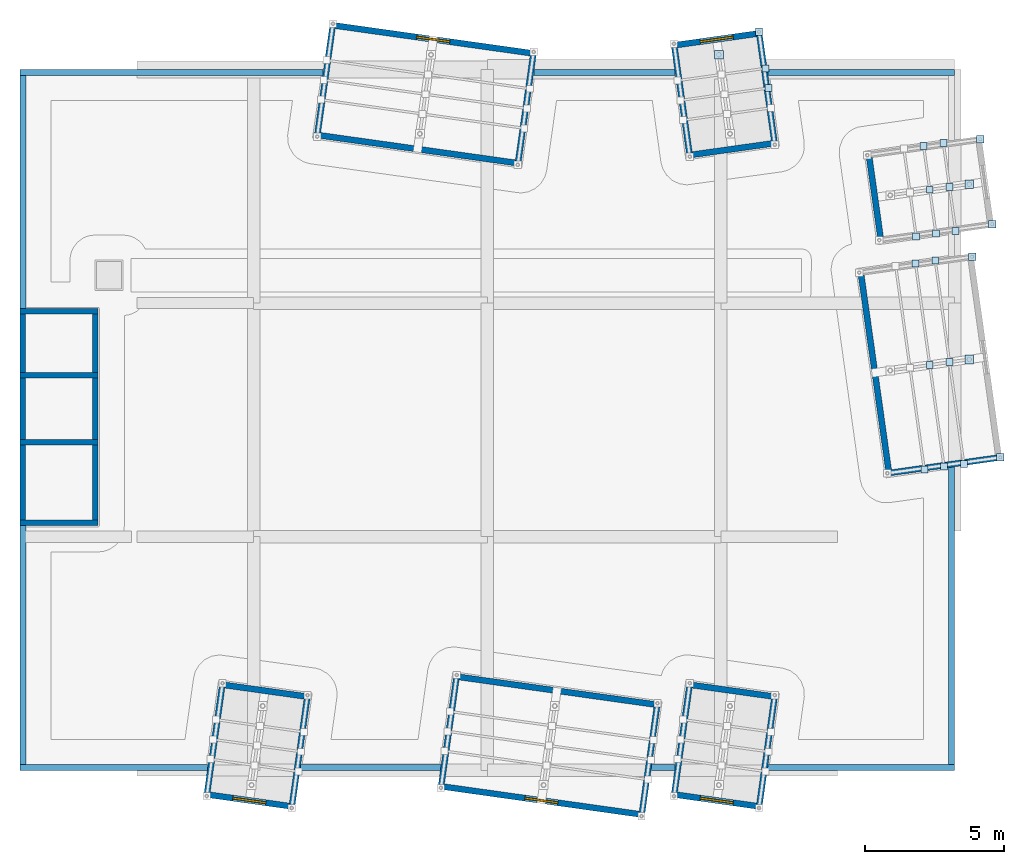
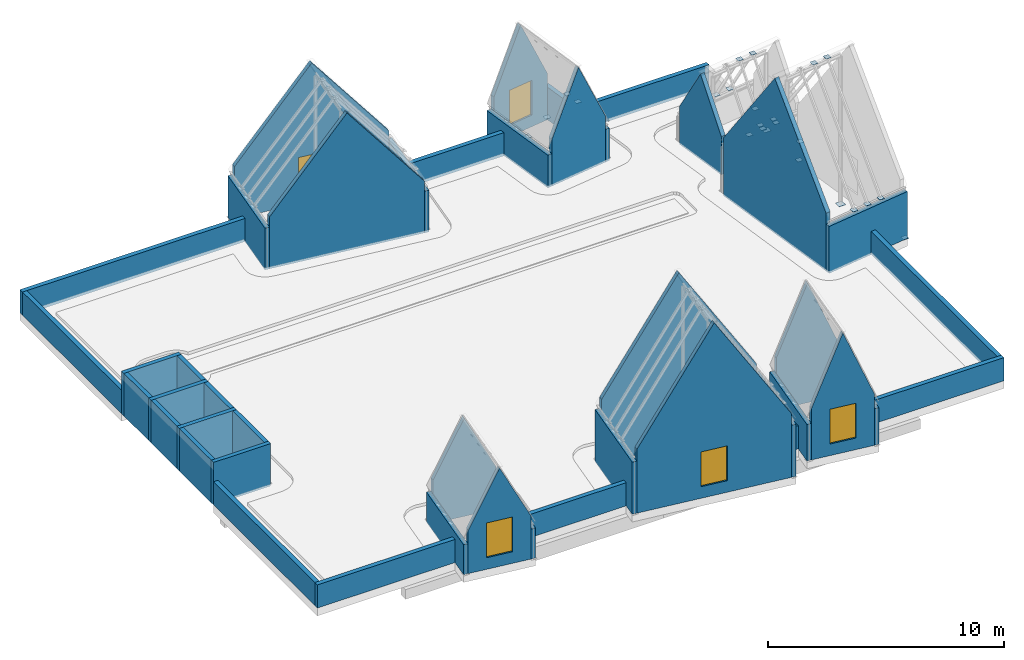
"""IFC4 building model written with IfcOpenShell, lengths in metres."""

from ifc_helpers import new_model, si_unit, direction, frame, frame_2d, origin, origin_2d, place, context, subcontext, project, spatial, polyline, rectangle, outline, extrude, material, layer, layer_set, type_object, element, fill, save


model = new_model("IFC4")

# Units and contexts
model_context = context("Model", 3, precision=1e-05, world=origin(), true_north=direction((0.0, 1.0)))
body_context = subcontext(model_context, "Body", "Model", "MODEL_VIEW")
ifc_project = project(units=[si_unit("LENGTHUNIT", "METRE"), si_unit("AREAUNIT", "SQUARE_METRE"), si_unit("VOLUMEUNIT", "CUBIC_METRE"), si_unit("PLANEANGLEUNIT", "RADIAN"), si_unit("MASSUNIT", "GRAM", prefix="KILO")], contexts=[model_context])

# Site, building, storey
site_placement = place(None, origin())
site = spatial("IfcSite", under=ifc_project, at=site_placement, CompositionType="ELEMENT")
building_placement = place(site_placement, origin())
building = spatial("IfcBuilding", under=site, at=building_placement, Name="Kiln Court Media Centre", CompositionType="ELEMENT")
storey_1_placement = place(building_placement, frame((0.0, 0.0, 42.60009765625)))
storey_1 = spatial("IfcBuildingStorey", under=building, at=storey_1_placement, Name="ROOF", CompositionType="ELEMENT", Elevation=42.60009765625)

# Plates
ifc_material_1 = material(Name="Steel ASTM A572 Gr 50", Category="steel")
ifc_layer_1 = layer(ifc_material_1, 0.010009765625)
ifc_layer_set_1 = layer_set([ifc_layer_1], Name="Steel ASTM A572 Gr 50 250x250x10 connection plate CR")
plate_type_1 = type_object("IfcPlateType", Name="Steel ASTM A572 Gr 50 250x250x10 connection plate CR", PredefinedType="USERDEFINED", material=ifc_layer_set_1)
for number, where, z_axis, x_axis, name in (
    (1, (26.806884765625, 25.241455078125, 1.908203125), (0.0, 0.0, 1.0), (1.0, 0.0, 0.0), "CR node connection plate"),
    (2, (26.90673828125, 24.531005859375, 1.908203125), (0.0, 0.0, 1.0), (1.0, 0.0, 0.0), "CR node connection plate"),
    (3, (32.195068359375, 18.23046875, 2.6591796875), (0.0, 0.0, 1.0), (1.0, 0.0, 0.0), "CR node connection plate"),
    (4, (32.22021484375, 19.196044921875, 1.5751953125), (0.0, 0.0, 1.0), (1.0, 0.0, 0.0), "CR node connection plate"),
    (5, (32.511962890625, 10.819091796875, 2.6591796875), (0.0, 0.0, 1.0), (1.0, 0.0, 0.0), "CR node connection plate"),
    (6, (32.48681640625, 22.45361328125, 1.5751953125), (0.0, 0.0, 1.0), (1.0, 0.0, 0.0), "CR node connection plate"),
    (7, (32.708740234375, 14.57470703125, 7.9208984375), (0.0, 0.0, 1.0), (1.0, 0.0, 0.0), "CR node connection plate"),
    (8, (32.708740234375, 20.874755859375, 4.296875), (0.0, 0.0, 1.0), (1.0, 0.0, 0.0), "CR node connection plate"),
    (9, (32.905517578125, 18.330322265625, 2.6591796875), (0.0, 0.0, 1.0), (1.0, 0.0, 0.0), "CR node connection plate"),
    (10, (32.9306640625, 19.2958984375, 1.5751953125), (0.0, 0.0, 1.0), (1.0, 0.0, 0.0), "CR node connection plate"),
    (11, (33.222412109375, 10.919189453125, 2.6591796875), (0.0, 0.0, 1.0), (1.0, 0.0, 0.0), "CR node connection plate"),
    (12, (33.197509765625, 22.553466796875, 1.5751953125), (0.0, 0.0, 1.0), (1.0, 0.0, 0.0), "CR node connection plate"),
    (13, (33.419189453125, 14.674560546875, 7.9208984375), (0.0, 0.0, 1.0), (1.0, 0.0, 0.0), "CR node connection plate"),
    (14, (33.419189453125, 20.974609375, 4.296875), (0.0, 0.0, 1.0), (1.0, 0.0, 0.0), "CR node connection plate"),
    (15, (33.64111328125, 19.395751953125, 1.5751953125), (0.0, 0.0, 1.0), (1.0, 0.0, 0.0), "CR node connection plate"),
    (16, (33.93310546875, 11.018798828125, 2.6591796875), (0.0, 0.0, 1.0), (1.0, 0.0, 0.0), "CR node connection plate"),
):
    element("IfcPlate", number, at=place(storey_1_placement, frame(where, z_axis=z_axis, x_axis=x_axis)), inside=storey_1, type_object=plate_type_1, Name=name, ObjectType="CONNECTION PLATE", PredefinedType="USERDEFINED", context=body_context, shape_type="SweptSolid", body=[
        extrude(rectangle(XDim=0.25, YDim=0.25, at=origin_2d()), origin(), (0.0, 0.0, 1.0), 0.010009765625),
    ])
ifc_material_2 = material(Name="Steel ASTM A572 Gr 50", Category="steel")
ifc_layer_2 = layer(ifc_material_2, 0.010009765625)
ifc_layer_set_2 = layer_set([ifc_layer_2], Name="Steel ASTM A572 Gr 50 264x264x10 connection plate")
plate_type_2 = type_object("IfcPlateType", Name="Steel ASTM A572 Gr 50 264x264x10 connection plate", PredefinedType="USERDEFINED", material=ifc_layer_set_2)
for number, where, z_axis, x_axis, name in (
    (17, (35.24560546875, 11.2529296875, -0.001953125), (0.0, 0.0, 1.0), (1.0, 0.0, 0.0), "crown form 4 eaves post base connection plate"),
    (18, (34.23193359375, 18.467041015625, -0.001953125), (0.0, 0.0, 1.0), (1.0, 0.0, 0.0), "crown form 4 eaves post base connection plate"),
    (19, (34.95361328125, 19.632568359375, -0.001953125), (0.0, 0.0, 1.0), (1.0, 0.0, 0.0), "crown form 5 eaves post base connection plate"),
    (20, (34.524169921875, 22.6875, -0.001953125), (0.0, 0.0, 1.0), (1.0, 0.0, 0.0), "crown form 5 eaves post base connection plate"),
    (21, (26.5673828125, 26.553466796875, -0.001953125), (0.0, 0.0, 1.0), (1.0, 0.0, 0.0), "crown form 7 eaves post base connection plate"),
):
    element("IfcPlate", number, at=place(storey_1_placement, frame(where, z_axis=z_axis, x_axis=x_axis)), inside=storey_1, type_object=plate_type_2, Name=name, ObjectType="CONNECTION PLATE", PredefinedType="USERDEFINED", context=body_context, shape_type="SweptSolid", body=[
        extrude(rectangle(XDim=0.263916015625, YDim=0.263916015625, at=origin_2d()), origin(), (0.0, 0.0, 1.0), 0.010009765625),
    ])
ifc_material_3 = material(Name="Steel ASTM A572 Gr 50", Category="steel")
ifc_layer_3 = layer(ifc_material_3, 0.010009765625)
ifc_layer_set_3 = layer_set([ifc_layer_3], Name="Steel ASTM A572 Gr 50 318x318x10 connection plate")
plate_type_3 = type_object("IfcPlateType", Name="Steel ASTM A572 Gr 50 318x318x10 connection plate", PredefinedType="USERDEFINED", material=ifc_layer_set_3)
for number, where, z_axis, x_axis, name in (
    (22, (34.1298828125, 14.7744140625, -0.001953125), (0.0, 0.0, 1.0), (1.0, 0.0, 0.0), "crown form 4 ridge post base connection plate"),
    (23, (34.1298828125, 21.074462890625, -0.001953125), (0.0, 0.0, 1.0), (1.0, 0.0, 0.0), "crown form 5 ridge post base connection plate"),
    (24, (25.12548828125, 25.729736328125, -0.001953125), (0.0, 0.0, 1.0), (1.0, 0.0, 0.0), "crown form 7 ridge post base connection plate"),
):
    element("IfcPlate", number, at=place(storey_1_placement, frame(where, z_axis=z_axis, x_axis=x_axis)), inside=storey_1, type_object=plate_type_3, Name=name, ObjectType="CONNECTION PLATE", PredefinedType="USERDEFINED", context=body_context, shape_type="SweptSolid", body=[
        extrude(rectangle(XDim=0.318115234375, YDim=0.318115234375, at=origin_2d()), origin(), (0.0, 0.0, 1.0), 0.010009765625),
    ])

# Wall
ifc_material_4 = material(Name="Brick masonry facing leaf with RC backing", Category="masonry")
ifc_layer_4 = layer(ifc_material_4, 0.215087890625)
ifc_layer_set_4 = layer_set([ifc_layer_4], Name="Brick masonry crown gable wall 215")
wall_type_1 = type_object("IfcWallType", Name="Brick masonry crown gable wall 215", PredefinedType="SOLIDWALL", material=ifc_layer_set_4)
wall_1_placement = place(storey_1_placement, frame((7.381591796875, 3.064208984375, 0.0), z_axis=(0.0, 0.0, 1.0), x_axis=(0.990256762126, -0.139253528013, 0.0)))
element("IfcWall", 25, at=wall_1_placement, inside=storey_1, type_object=wall_type_1, Name="CROWN-1 back gable", PredefinedType="SOLIDWALL", context=body_context, shape_type="SweptSolid", body=[
    extrude(outline(polyline([(0.0, 0.0), (2.8701171875, 0.0), (2.8701171875, 2.232666015625), (1.43505859375, 5.0859375), (0.0, 2.232666015625), (0.0, 0.0)])), frame((0.0, 0.107421875, 0.0), z_axis=(0.0, -1.0, 0.0), x_axis=(1.0, 0.0, 0.0)), (0.0, 0.0, 1.0), 0.215087890625),
])

# Wall, opening
wall_2_placement = place(storey_1_placement, frame((6.826904296875, -0.882080078125, 0.0), z_axis=(0.0, 0.0, 1.0), x_axis=(0.990268489117, -0.139170109801, 0.0)))
wall_2 = element("IfcWall", 26, at=wall_2_placement, inside=storey_1, type_object=wall_type_1, Name="CROWN-1 front gable", PredefinedType="SOLIDWALL", context=body_context, shape_type="SweptSolid", body=[
    extrude(outline(polyline([(0.0, 0.0), (2.869873046875, 0.0), (2.8701171875, 2.232666015625), (1.43505859375, 5.0859375), (0.0, 2.232666015625), (0.0, 0.0)])), frame((0.0, 0.107421875, 0.0), z_axis=(0.0, -1.0, 0.0), x_axis=(1.0, 0.0, 0.0)), (0.0, 0.0, 1.0), 0.215087890625),
])
opening_1_placement = place(wall_2_placement, frame((0.8349609375, 0.0, 0.60009765625)))
opening_1 = element("IfcOpeningElement", 27, at=opening_1_placement, cuts=wall_2, Name="Opening WN9001", PredefinedType="OPENING", context=body_context, shape_type="SweptSolid", body=[
    extrude(rectangle(XDim=1.199951171875, YDim=1.800048828125, at=frame_2d((0.60009765625, 0.89990234375))), frame((0.0, 0.117431640625, 0.0), z_axis=(0.0, -1.0, 0.0), x_axis=(1.0, 0.0, 0.0)), (0.0, 0.0, 1.0), 0.235107421875),
])

# Storey
storey_2_placement = place(building_placement, frame((0.0, 0.0, 38.10009765625)))
storey_2 = spatial("IfcBuildingStorey", under=building, at=storey_2_placement, Name="L08", CompositionType="ELEMENT", Elevation=38.10009765625)

# Window
ifc_material_5 = material(Name="Aluminium 6063-T6", Category="aluminium")
window_type = type_object("IfcWindowType", Name="Aluminium gable window 1200x1800", PartitioningType="SINGLE_PANEL", PredefinedType="WINDOW", material=ifc_material_5)
window_1_placement = place(opening_1_placement, origin())
window_1 = element("IfcWindow", 28, at=window_1_placement, inside=storey_2, type_object=window_type, Name="WE window WN9001", OverallHeight=1.800048828125, OverallWidth=1.199951171875, PartitioningType="SINGLE_PANEL", PredefinedType="WINDOW", context=body_context, shape_type="SweptSolid", body=[
    extrude(rectangle(XDim=1.199951171875, YDim=1.800048828125, at=frame_2d((0.60009765625, 0.89990234375))), frame((0.0, 0.030029296875, 0.0), z_axis=(0.0, -1.0, 0.0), x_axis=(1.0, 0.0, 0.0)), (0.0, 0.0, 1.0), 0.06005859375),
])

fill(opening_1, window_1)

# Walls
for number, where, z_axis, x_axis, name in (
    (29, (7.2900390625, 3.185546875, 0.0), (0.0, 0.0, 1.0), (-0.139158641769, -0.990270100741, 0.0), "CROWN-1 eave wall"),
    (30, (10.344970703125, 2.756103515625, 0.0), (0.0, 0.0, 1.0), (-0.139158641769, -0.990270100741, 0.0), "CROWN-1 eave wall"),
):
    element("IfcWall", number, at=place(storey_1_placement, frame(where, z_axis=z_axis, x_axis=x_axis)), inside=storey_1, type_object=wall_type_1, Name=name, PredefinedType="SOLIDWALL", context=body_context, shape_type="SweptSolid", body=[
        extrude(rectangle(XDim=4.199951171875, YDim=0.215087890625, at=frame_2d((2.10009765625, 0.0))), origin(), (0.0, 0.0, 1.0), 1.552001953125),
    ])
wall_3_placement = place(storey_1_placement, frame((15.802001953125, 3.356201171875, 0.0), z_axis=(0.0, 0.0, 1.0), x_axis=(0.990269446541, -0.139163297052, 0.0)))
element("IfcWall", 31, at=wall_3_placement, inside=storey_1, type_object=wall_type_1, Name="CROWN-2 back gable", PredefinedType="SOLIDWALL", context=body_context, shape_type="SweptSolid", body=[
    extrude(outline(polyline([(0.0, 0.0), (7.070068359375, 0.0), (7.070068359375, 3.296630859375), (3.534912109375, 8.9248046875), (0.0, 3.296630859375), (0.0, 0.0)])), frame((0.0, 0.107421875, 0.0), z_axis=(0.0, -1.0, 0.0), x_axis=(1.0, 0.0, 0.0)), (0.0, 0.0, 1.0), 0.215087890625),
])

# Wall, opening, window
wall_4_placement = place(storey_1_placement, frame((15.247314453125, -0.58984375, 0.0), z_axis=(0.0, 0.0, 1.0), x_axis=(0.990269446541, -0.139163297052, 0.0)))
wall_4 = element("IfcWall", 32, at=wall_4_placement, inside=storey_1, type_object=wall_type_1, Name="CROWN-2 front gable", PredefinedType="SOLIDWALL", context=body_context, shape_type="SweptSolid", body=[
    extrude(outline(polyline([(0.0, 0.0), (7.070068359375, 0.0), (7.070068359375, 3.296630859375), (3.534912109375, 8.9248046875), (0.0, 3.296630859375), (0.0, 0.0)])), frame((0.0, 0.107421875, 0.0), z_axis=(0.0, -1.0, 0.0), x_axis=(1.0, 0.0, 0.0)), (0.0, 0.0, 1.0), 0.215087890625),
])
opening_2_placement = place(wall_4_placement, frame((2.93505859375, 0.0, 0.60009765625)))
opening_2 = element("IfcOpeningElement", 33, at=opening_2_placement, cuts=wall_4, Name="Opening WN9002", PredefinedType="OPENING", context=body_context, shape_type="SweptSolid", body=[
    extrude(rectangle(XDim=1.199951171875, YDim=1.800048828125, at=frame_2d((0.60009765625, 0.89990234375))), frame((0.0, 0.117431640625, 0.0), z_axis=(0.0, -1.0, 0.0), x_axis=(1.0, 0.0, 0.0)), (0.0, 0.0, 1.0), 0.235107421875),
])
window_2_placement = place(opening_2_placement, origin())
window_2 = element("IfcWindow", 34, at=window_2_placement, inside=storey_2, type_object=window_type, Name="WE window WN9002", OverallHeight=1.800048828125, OverallWidth=1.199951171875, PartitioningType="SINGLE_PANEL", PredefinedType="WINDOW", context=body_context, shape_type="SweptSolid", body=[
    extrude(rectangle(XDim=1.199951171875, YDim=1.800048828125, at=frame_2d((0.60009765625, 0.89990234375))), frame((0.0, 0.030029296875, 0.0), z_axis=(0.0, -1.0, 0.0), x_axis=(1.0, 0.0, 0.0)), (0.0, 0.0, 1.0), 0.06005859375),
])
fill(opening_2, window_2)

# Walls
for number, where, z_axis, x_axis, name in (
    (35, (15.71044921875, 3.477783203125, 0.0), (0.0, 0.0, 1.0), (-0.139158641769, -0.990270100741, 0.0), "CROWN-2 eave wall"),
    (36, (22.924560546875, 2.4638671875, 0.0), (0.0, 0.0, 1.0), (-0.139158641769, -0.990270100741, 0.0), "CROWN-2 eave wall"),
):
    element("IfcWall", number, at=place(storey_1_placement, frame(where, z_axis=z_axis, x_axis=x_axis)), inside=storey_1, type_object=wall_type_1, Name=name, PredefinedType="SOLIDWALL", context=body_context, shape_type="SweptSolid", body=[
        extrude(rectangle(XDim=4.199951171875, YDim=0.215087890625, at=frame_2d((2.10009765625, 0.0))), origin(), (0.0, 0.0, 1.0), 2.699951171875),
    ])
wall_5_placement = place(storey_1_placement, frame((24.181396484375, 3.064208984375, 0.0), z_axis=(0.0, 0.0, 1.0), x_axis=(0.990258411484, -0.139241798626, 0.0)))
element("IfcWall", 37, at=wall_5_placement, inside=storey_1, type_object=wall_type_1, Name="CROWN-3 back gable", PredefinedType="SOLIDWALL", context=body_context, shape_type="SweptSolid", body=[
    extrude(outline(polyline([(0.0, 0.0), (2.870361328125, 0.0), (2.8701171875, 2.671630859375), (1.43505859375, 6.19384765625), (0.0, 2.671630859375), (0.0, 0.0)])), frame((0.0, 0.107421875, 0.0), z_axis=(0.0, -1.0, 0.0), x_axis=(1.0, 0.0, 0.0)), (0.0, 0.0, 1.0), 0.215087890625),
])

# Wall, opening, window
wall_6_placement = place(storey_1_placement, frame((23.626953125, -0.882080078125, 0.0), z_axis=(0.0, 0.0, 1.0), x_axis=(0.990268489117, -0.139170109801, 0.0)))
wall_6 = element("IfcWall", 38, at=wall_6_placement, inside=storey_1, type_object=wall_type_1, Name="CROWN-3 front gable", PredefinedType="SOLIDWALL", context=body_context, shape_type="SweptSolid", body=[
    extrude(outline(polyline([(0.0, 0.0), (2.869873046875, 0.0), (2.8701171875, 2.671630859375), (1.43505859375, 6.19384765625), (0.0, 2.671630859375), (0.0, 0.0)])), frame((0.0, 0.107421875, 0.0), z_axis=(0.0, -1.0, 0.0), x_axis=(1.0, 0.0, 0.0)), (0.0, 0.0, 1.0), 0.215087890625),
])
opening_3_placement = place(wall_6_placement, frame((0.8349609375, 0.0, 0.60009765625)))
opening_3 = element("IfcOpeningElement", 39, at=opening_3_placement, cuts=wall_6, Name="Opening WN9003", PredefinedType="OPENING", context=body_context, shape_type="SweptSolid", body=[
    extrude(rectangle(XDim=1.199951171875, YDim=1.800048828125, at=frame_2d((0.60009765625, 0.89990234375))), frame((0.0, 0.117431640625, 0.0), z_axis=(0.0, -1.0, 0.0), x_axis=(1.0, 0.0, 0.0)), (0.0, 0.0, 1.0), 0.235107421875),
])
window_3_placement = place(opening_3_placement, origin())
window_3 = element("IfcWindow", 40, at=window_3_placement, inside=storey_2, type_object=window_type, Name="WE window WN9003", OverallHeight=1.800048828125, OverallWidth=1.199951171875, PartitioningType="SINGLE_PANEL", PredefinedType="WINDOW", context=body_context, shape_type="SweptSolid", body=[
    extrude(rectangle(XDim=1.199951171875, YDim=1.800048828125, at=frame_2d((0.60009765625, 0.89990234375))), frame((0.0, 0.030029296875, 0.0), z_axis=(0.0, -1.0, 0.0), x_axis=(1.0, 0.0, 0.0)), (0.0, 0.0, 1.0), 0.06005859375),
])
fill(opening_3, window_3)

# Walls
for number, where, z_axis, x_axis, name in (
    (41, (24.090087890625, 3.185546875, 0.0), (0.0, 0.0, 1.0), (-0.139158641769, -0.990270100741, 0.0), "CROWN-3 eave wall"),
    (42, (27.14501953125, 2.756103515625, 0.0), (0.0, 0.0, 1.0), (-0.139158641769, -0.990270100741, 0.0), "CROWN-3 eave wall"),
):
    element("IfcWall", number, at=place(storey_1_placement, frame(where, z_axis=z_axis, x_axis=x_axis)), inside=storey_1, type_object=wall_type_1, Name=name, PredefinedType="SOLIDWALL", context=body_context, shape_type="SweptSolid", body=[
        extrude(rectangle(XDim=4.199951171875, YDim=0.215087890625, at=frame_2d((2.10009765625, 0.0))), origin(), (0.0, 0.0, 1.0), 1.889892578125),
    ])
wall_7_placement = place(storey_1_placement, frame((31.2275390625, 10.796875, 0.0), z_axis=(0.0, 0.0, 1.0), x_axis=(-0.139163297052, 0.990269446541, 0.0)))
element("IfcWall", 43, at=wall_7_placement, inside=storey_1, type_object=wall_type_1, Name="CROWN-4 back gable", PredefinedType="SOLIDWALL", context=body_context, shape_type="SweptSolid", body=[
    extrude(outline(polyline([(0.0, 0.0), (7.070068359375, 0.0), (7.070068359375, 2.9921875), (3.534912109375, 8.0302734375), (0.0, 2.9921875), (0.0, 0.0)])), frame((0.0, 0.107421875, 0.0), z_axis=(0.0, -1.0, 0.0), x_axis=(1.0, 0.0, 0.0)), (0.0, 0.0, 1.0), 0.215087890625),
])
wall_8_placement = place(storey_1_placement, frame((31.135986328125, 10.67529296875, 0.0), z_axis=(0.0, 0.0, 1.0), x_axis=(0.990263215318, 0.139207630492, 0.0)))
element("IfcWall", 44, at=wall_8_placement, inside=storey_1, type_object=wall_type_1, Name="CROWN-4 eave wall", PredefinedType="SOLIDWALL", context=body_context, shape_type="SweptSolid", body=[
    extrude(rectangle(XDim=4.200439453125, YDim=0.215087890625, at=frame_2d((2.10009765625, 0.0))), origin(), (0.0, 0.0, 1.0), 2.429931640625),
])
wall_9_placement = place(storey_1_placement, frame((30.935302734375, 19.176513671875, 0.0), z_axis=(0.0, 0.0, 1.0), x_axis=(-0.139170109801, 0.990268489117, 0.0)))
element("IfcWall", 45, at=wall_9_placement, inside=storey_1, type_object=wall_type_1, Name="CROWN-5 back gable", PredefinedType="SOLIDWALL", context=body_context, shape_type="SweptSolid", body=[
    extrude(outline(polyline([(0.0, 0.0), (2.869873046875, 0.0), (2.8701171875, 1.970703125), (1.43505859375, 4.4208984375), (0.0, 1.970703125), (0.0, 0.0)])), frame((0.0, 0.107421875, 0.0), z_axis=(0.0, -1.0, 0.0), x_axis=(1.0, 0.0, 0.0)), (0.0, 0.0, 1.0), 0.215087890625),
])
wall_10_placement = place(storey_1_placement, frame((10.796875, 22.82763671875, 0.0), z_axis=(0.0, 0.0, 1.0), x_axis=(0.990269446541, -0.139163297052, 0.0)))
element("IfcWall", 46, at=wall_10_placement, inside=storey_1, type_object=wall_type_1, Name="CROWN-6 back gable", PredefinedType="SOLIDWALL", context=body_context, shape_type="SweptSolid", body=[
    extrude(outline(polyline([(0.0, 0.0), (7.070068359375, 0.0), (7.070068359375, 2.68798828125), (3.534912109375, 7.135498046875), (0.0, 2.68798828125), (0.0, 0.0)])), frame((0.0, 0.107421875, 0.0), z_axis=(0.0, -1.0, 0.0), x_axis=(1.0, 0.0, 0.0)), (0.0, 0.0, 1.0), 0.215087890625),
])

# Wall, opening, window
wall_11_placement = place(storey_1_placement, frame((11.351318359375, 26.773681640625, 0.0), z_axis=(0.0, 0.0, 1.0), x_axis=(0.990269446541, -0.139163297052, 0.0)))
wall_11 = element("IfcWall", 47, at=wall_11_placement, inside=storey_1, type_object=wall_type_1, Name="CROWN-6 front gable", PredefinedType="SOLIDWALL", context=body_context, shape_type="SweptSolid", body=[
    extrude(outline(polyline([(0.0, 0.0), (7.070068359375, 0.0), (7.070068359375, 2.68798828125), (3.534912109375, 7.135498046875), (0.0, 2.68798828125), (0.0, 0.0)])), frame((0.0, 0.107421875, 0.0), z_axis=(0.0, -1.0, 0.0), x_axis=(1.0, 0.0, 0.0)), (0.0, 0.0, 1.0), 0.215087890625),
])
opening_4_placement = place(wall_11_placement, frame((2.93505859375, 0.0, 0.60009765625)))
opening_4 = element("IfcOpeningElement", 48, at=opening_4_placement, cuts=wall_11, Name="Opening WN9006", PredefinedType="OPENING", context=body_context, shape_type="SweptSolid", body=[
    extrude(rectangle(XDim=1.199951171875, YDim=1.800048828125, at=frame_2d((0.60009765625, 0.89990234375))), frame((0.0, 0.117431640625, 0.0), z_axis=(0.0, -1.0, 0.0), x_axis=(1.0, 0.0, 0.0)), (0.0, 0.0, 1.0), 0.235107421875),
])
window_4_placement = place(opening_4_placement, origin())
window_4 = element("IfcWindow", 49, at=window_4_placement, inside=storey_2, type_object=window_type, Name="WE window WN9006", OverallHeight=1.800048828125, OverallWidth=1.199951171875, PartitioningType="SINGLE_PANEL", PredefinedType="WINDOW", context=body_context, shape_type="SweptSolid", body=[
    extrude(rectangle(XDim=1.199951171875, YDim=1.800048828125, at=frame_2d((0.60009765625, 0.89990234375))), frame((0.0, 0.030029296875, 0.0), z_axis=(0.0, -1.0, 0.0), x_axis=(1.0, 0.0, 0.0)), (0.0, 0.0, 1.0), 0.06005859375),
])
fill(opening_4, window_4)

# Walls
wall_12_placement = place(storey_1_placement, frame((10.67529296875, 22.736083984375, 0.0), z_axis=(0.0, 0.0, 1.0), x_axis=(0.139215643507, 0.990262088845, 0.0)))
element("IfcWall", 50, at=wall_12_placement, inside=storey_1, type_object=wall_type_1, Name="CROWN-6 eave wall", PredefinedType="SOLIDWALL", context=body_context, shape_type="SweptSolid", body=[
    extrude(rectangle(XDim=4.2001953125, YDim=0.215087890625, at=frame_2d((2.10009765625, 0.0))), origin(), (0.0, 0.0, 1.0), 2.159912109375),
])
wall_13_placement = place(storey_1_placement, frame((17.889404296875, 21.722412109375, 0.0), z_axis=(0.0, 0.0, 1.0), x_axis=(0.139223657435, 0.990260962176, 0.0)))
element("IfcWall", 51, at=wall_13_placement, inside=storey_1, type_object=wall_type_1, Name="CROWN-6 eave wall", PredefinedType="SOLIDWALL", context=body_context, shape_type="SweptSolid", body=[
    extrude(rectangle(XDim=4.199951171875, YDim=0.215087890625, at=frame_2d((2.10009765625, 0.0))), origin(), (0.0, 0.0, 1.0), 2.159912109375),
])
wall_14_placement = place(storey_1_placement, frame((24.181396484375, 22.135986328125, 0.0), z_axis=(0.0, 0.0, 1.0), x_axis=(0.990270136519, 0.139158387163, 0.0)))
element("IfcWall", 52, at=wall_14_placement, inside=storey_1, type_object=wall_type_1, Name="CROWN-7 back gable", PredefinedType="SOLIDWALL", context=body_context, shape_type="SweptSolid", body=[
    extrude(outline(polyline([(0.0, 0.0), (2.8701171875, 0.0), (2.8701171875, 2.40869140625), (1.43505859375, 5.529296875), (0.0, 2.40869140625), (0.0, 0.0)])), frame((0.0, 0.107421875, 0.0), z_axis=(0.0, -1.0, 0.0), x_axis=(1.0, 0.0, 0.0)), (0.0, 0.0, 1.0), 0.215087890625),
])

# Wall, opening, window
wall_15_placement = place(storey_1_placement, frame((23.626953125, 26.082275390625, 0.0), z_axis=(0.0, 0.0, 1.0), x_axis=(0.990268489117, 0.139170109801, 0.0)))
wall_15 = element("IfcWall", 53, at=wall_15_placement, inside=storey_1, type_object=wall_type_1, Name="CROWN-7 front gable", PredefinedType="SOLIDWALL", context=body_context, shape_type="SweptSolid", body=[
    extrude(outline(polyline([(0.0, 0.0), (2.869873046875, 0.0), (2.8701171875, 2.40869140625), (1.43505859375, 5.529296875), (0.0, 2.40869140625), (0.0, 0.0)])), frame((0.0, 0.107421875, 0.0), z_axis=(0.0, -1.0, 0.0), x_axis=(1.0, 0.0, 0.0)), (0.0, 0.0, 1.0), 0.215087890625),
])
opening_5_placement = place(wall_15_placement, frame((0.8349609375, 0.0, 0.60009765625)))
opening_5 = element("IfcOpeningElement", 54, at=opening_5_placement, cuts=wall_15, Name="Opening WN9007", PredefinedType="OPENING", context=body_context, shape_type="SweptSolid", body=[
    extrude(rectangle(XDim=1.199951171875, YDim=1.800048828125, at=frame_2d((0.60009765625, 0.89990234375))), frame((0.0, 0.117431640625, 0.0), z_axis=(0.0, -1.0, 0.0), x_axis=(1.0, 0.0, 0.0)), (0.0, 0.0, 1.0), 0.235107421875),
])
window_5_placement = place(opening_5_placement, origin())
window_5 = element("IfcWindow", 55, at=window_5_placement, inside=storey_2, type_object=window_type, Name="WE window WN9007", OverallHeight=1.800048828125, OverallWidth=1.199951171875, PartitioningType="SINGLE_PANEL", PredefinedType="WINDOW", context=body_context, shape_type="SweptSolid", body=[
    extrude(rectangle(XDim=1.199951171875, YDim=1.800048828125, at=frame_2d((0.60009765625, 0.89990234375))), frame((0.0, 0.030029296875, 0.0), z_axis=(0.0, -1.0, 0.0), x_axis=(1.0, 0.0, 0.0)), (0.0, 0.0, 1.0), 0.06005859375),
])
fill(opening_5, window_5)

# Walls
for number, where, z_axis, x_axis, name in (
    (56, (24.090087890625, 22.014404296875, 0.0), (0.0, 0.0, 1.0), (-0.139158641769, 0.990270100741, 0.0), "CROWN-7 eave wall"),
    (57, (27.14501953125, 22.44384765625, 0.0), (0.0, 0.0, 1.0), (-0.139158641769, 0.990270100741, 0.0), "CROWN-7 eave wall"),
):
    element("IfcWall", number, at=place(storey_1_placement, frame(where, z_axis=z_axis, x_axis=x_axis)), inside=storey_1, type_object=wall_type_1, Name=name, PredefinedType="SOLIDWALL", context=body_context, shape_type="SweptSolid", body=[
        extrude(rectangle(XDim=4.199951171875, YDim=0.215087890625, at=frame_2d((2.10009765625, 0.0))), origin(), (0.0, 0.0, 1.0), 1.68798828125),
    ])
ifc_material_6 = material(Name="Brick masonry facing leaf with RC backing", Category="masonry")
ifc_layer_5 = layer(ifc_material_6, 0.215087890625)
ifc_layer_set_5 = layer_set([ifc_layer_5], Name="Brick masonry parapet wall 215")
wall_type_2 = type_object("IfcWallType", Name="Brick masonry parapet wall 215", PredefinedType="PARAPET", material=ifc_layer_set_5)
wall_16_placement = place(storey_1_placement, frame((0.0, 0.1083984375, 0.0), z_axis=(0.0, 0.0, 1.0), x_axis=(1.0, 0.0, 0.0)))
element("IfcWall", 58, at=wall_16_placement, inside=storey_1, type_object=wall_type_2, Name="V6A roof parapet 3028", PredefinedType="PARAPET", context=body_context, shape_type="SweptSolid", body=[
    extrude(rectangle(XDim=6.7490234375, YDim=0.215087890625, at=frame_2d((3.37451171875, 0.0))), origin(), (0.0, 0.0, 1.0), 1.199951171875),
])
wall_17_placement = place(storey_1_placement, frame((10.08154296875, 0.1083984375, 0.0), z_axis=(0.0, 0.0, 1.0), x_axis=(1.0, 0.0, 0.0)))
element("IfcWall", 59, at=wall_17_placement, inside=storey_1, type_object=wall_type_2, Name="V6A roof parapet 3029", PredefinedType="PARAPET", context=body_context, shape_type="SweptSolid", body=[
    extrude(rectangle(XDim=5.046875, YDim=0.215087890625, at=frame_2d((2.5234375, 0.0))), origin(), (0.0, 0.0, 1.0), 1.199951171875),
])
wall_18_placement = place(storey_1_placement, frame((22.7021484375, 0.1083984375, 0.0), z_axis=(0.0, 0.0, 1.0), x_axis=(1.0, 0.0, 0.0)))
element("IfcWall", 60, at=wall_18_placement, inside=storey_1, type_object=wall_type_2, Name="V6A roof parapet 3030", PredefinedType="PARAPET", context=body_context, shape_type="SweptSolid", body=[
    extrude(rectangle(XDim=0.846923828125, YDim=0.215087890625, at=frame_2d((0.42333984375, 0.0))), origin(), (0.0, 0.0, 1.0), 1.199951171875),
])
wall_19_placement = place(storey_1_placement, frame((26.881591796875, 0.1083984375, 0.0), z_axis=(0.0, 0.0, 1.0), x_axis=(1.0, 0.0, 0.0)))
element("IfcWall", 61, at=wall_19_placement, inside=storey_1, type_object=wall_type_2, Name="V6A roof parapet 3031", PredefinedType="PARAPET", context=body_context, shape_type="SweptSolid", body=[
    extrude(rectangle(XDim=6.718505859375, YDim=0.215087890625, at=frame_2d((3.359375, 0.0))), origin(), (0.0, 0.0, 1.0), 1.199951171875),
])
wall_20_placement = place(storey_1_placement, frame((33.491455078125, 0.215087890625, 0.0), z_axis=(0.0, 0.0, 1.0), x_axis=(0.0, 1.0, 0.0)))
element("IfcWall", 62, at=wall_20_placement, inside=storey_1, type_object=wall_type_2, Name="V6A roof parapet 3032", PredefinedType="PARAPET", context=body_context, shape_type="SweptSolid", body=[
    extrude(rectangle(XDim=10.682861328125, YDim=0.215087890625, at=frame_2d((5.34130859375, 0.0))), origin(), (0.0, 0.0, 1.0), 1.199951171875),
])
wall_21_placement = place(storey_1_placement, frame((33.60009765625, 25.091552734375, 0.0), z_axis=(0.0, 0.0, 1.0), x_axis=(-1.0, 0.0, 0.0)))
element("IfcWall", 63, at=wall_21_placement, inside=storey_1, type_object=wall_type_2, Name="V6A roof parapet 3035", PredefinedType="PARAPET", context=body_context, shape_type="SweptSolid", body=[
    extrude(rectangle(XDim=6.718505859375, YDim=0.215087890625, at=frame_2d((3.359375, 0.0))), origin(), (0.0, 0.0, 1.0), 1.199951171875),
])
wall_22_placement = place(storey_1_placement, frame((23.549072265625, 25.091552734375, 0.0), z_axis=(0.0, 0.0, 1.0), x_axis=(-1.0, 0.0, 0.0)))
element("IfcWall", 64, at=wall_22_placement, inside=storey_1, type_object=wall_type_2, Name="V6A roof parapet 3036", PredefinedType="PARAPET", context=body_context, shape_type="SweptSolid", body=[
    extrude(rectangle(XDim=5.077392578125, YDim=0.215087890625, at=frame_2d((2.53857421875, 0.0))), origin(), (0.0, 0.0, 1.0), 1.199951171875),
])
wall_23_placement = place(storey_1_placement, frame((10.89794921875, 25.091552734375, 0.0), z_axis=(0.0, 0.0, 1.0), x_axis=(-1.0, 0.0, 0.0)))
element("IfcWall", 65, at=wall_23_placement, inside=storey_1, type_object=wall_type_2, Name="V6A roof parapet 3037", PredefinedType="PARAPET", context=body_context, shape_type="SweptSolid", body=[
    extrude(rectangle(XDim=10.89794921875, YDim=0.215087890625, at=frame_2d((5.448974609375, 0.0))), origin(), (0.0, 0.0, 1.0), 1.199951171875),
])
wall_24_placement = place(storey_1_placement, frame((0.1083984375, 24.985107421875, 0.0), z_axis=(0.0, 0.0, 1.0), x_axis=(0.0, -1.0, 0.0)))
element("IfcWall", 66, at=wall_24_placement, inside=storey_1, type_object=wall_type_2, Name="V6A roof parapet 3038", PredefinedType="PARAPET", context=body_context, shape_type="SweptSolid", body=[
    extrude(rectangle(XDim=8.385009765625, YDim=0.215087890625, at=frame_2d((4.1923828125, 0.0))), origin(), (0.0, 0.0, 1.0), 1.199951171875),
])
wall_25_placement = place(storey_1_placement, frame((0.1083984375, 8.7998046875, 0.0), z_axis=(0.0, 0.0, 1.0), x_axis=(0.0, -1.0, 0.0)))
element("IfcWall", 67, at=wall_25_placement, inside=storey_1, type_object=wall_type_2, Name="V6A roof parapet 3039", PredefinedType="PARAPET", context=body_context, shape_type="SweptSolid", body=[
    extrude(rectangle(XDim=8.584716796875, YDim=0.215087890625, at=frame_2d((4.29248046875, 0.0))), origin(), (0.0, 0.0, 1.0), 1.199951171875),
])
ifc_material_7 = material(Name="Concrete C40/50", Category="concrete")
ifc_layer_6 = layer(ifc_material_7, 0.199951171875)
ifc_layer_set_6 = layer_set([ifc_layer_6], Name="Concrete C40/50 shear wall 200")
wall_type_3 = type_object("IfcWallType", Name="Concrete C40/50 shear wall 200", PredefinedType="SHEAR", material=ifc_layer_set_6)
for number, where, z_axis, x_axis, name in (
    (68, (2.800048828125, 8.89990234375, 0.0), (0.0, 0.0, 1.0), (-1.0, 0.0, 0.0), "ROOF-W-1000"),
    (69, (0.00048828125, 11.800048828125, 0.0), (0.0, 0.0, 1.0), (1.0, 0.0, 0.0), "ROOF-W-1001"),
):
    element("IfcWall", number, at=place(storey_1_placement, frame(where, z_axis=z_axis, x_axis=x_axis)), inside=storey_1, type_object=wall_type_3, Name=name, PredefinedType="SHEAR", context=body_context, shape_type="SweptSolid", body=[
        extrude(rectangle(XDim=2.799560546875, YDim=0.199951171875, at=frame_2d((1.39990234375, 0.0))), origin(), (0.0, 0.0, 1.0), 2.199951171875),
    ])
for number, where, z_axis, x_axis, name in (
    (70, (0.100341796875, 9.0, 0.0), (0.0, 0.0, 1.0), (0.0, 1.0, 0.0), "ROOF-W-1002"),
    (71, (2.699951171875, 11.699951171875, 0.0), (0.0, 0.0, 1.0), (0.0, -1.0, 0.0), "ROOF-W-1003"),
):
    element("IfcWall", number, at=place(storey_1_placement, frame(where, z_axis=z_axis, x_axis=x_axis)), inside=storey_1, type_object=wall_type_3, Name=name, PredefinedType="SHEAR", context=body_context, shape_type="SweptSolid", body=[
        extrude(rectangle(XDim=2.699951171875, YDim=0.199951171875, at=frame_2d((1.35009765625, 0.0))), origin(), (0.0, 0.0, 1.0), 2.199951171875),
    ])
wall_26_placement = place(storey_1_placement, frame((0.00048828125, 14.199951171875, 0.0), z_axis=(0.0, 0.0, 1.0), x_axis=(1.0, 0.0, 0.0)))
element("IfcWall", 72, at=wall_26_placement, inside=storey_1, type_object=wall_type_3, Name="ROOF-W-1004", PredefinedType="SHEAR", context=body_context, shape_type="SweptSolid", body=[
    extrude(rectangle(XDim=2.799560546875, YDim=0.199951171875, at=frame_2d((1.39990234375, 0.0))), origin(), (0.0, 0.0, 1.0), 2.199951171875),
])
for number, where, z_axis, x_axis, name in (
    (73, (0.100341796875, 11.89990234375, 0.0), (0.0, 0.0, 1.0), (0.0, 1.0, 0.0), "ROOF-W-1005"),
    (74, (2.699951171875, 14.10009765625, 0.0), (0.0, 0.0, 1.0), (0.0, -1.0, 0.0), "ROOF-W-1006"),
):
    element("IfcWall", number, at=place(storey_1_placement, frame(where, z_axis=z_axis, x_axis=x_axis)), inside=storey_1, type_object=wall_type_3, Name=name, PredefinedType="SHEAR", context=body_context, shape_type="SweptSolid", body=[
        extrude(rectangle(XDim=2.2001953125, YDim=0.199951171875, at=frame_2d((1.10009765625, 0.0))), origin(), (0.0, 0.0, 1.0), 2.199951171875),
    ])
wall_27_placement = place(storey_1_placement, frame((0.00048828125, 16.5, 0.0), z_axis=(0.0, 0.0, 1.0), x_axis=(1.0, 0.0, 0.0)))
element("IfcWall", 75, at=wall_27_placement, inside=storey_1, type_object=wall_type_3, Name="ROOF-W-1007", PredefinedType="SHEAR", context=body_context, shape_type="SweptSolid", body=[
    extrude(rectangle(XDim=2.799560546875, YDim=0.199951171875, at=frame_2d((1.39990234375, 0.0))), origin(), (0.0, 0.0, 1.0), 2.199951171875),
])
for number, where, z_axis, x_axis, name in (
    (76, (0.100341796875, 14.300048828125, 0.0), (0.0, 0.0, 1.0), (0.0, 1.0, 0.0), "ROOF-W-1008"),
    (77, (2.699951171875, 16.39990234375, 0.0), (0.0, 0.0, 1.0), (0.0, -1.0, 0.0), "ROOF-W-1009"),
):
    element("IfcWall", number, at=place(storey_1_placement, frame(where, z_axis=z_axis, x_axis=x_axis)), inside=storey_1, type_object=wall_type_3, Name=name, PredefinedType="SHEAR", context=body_context, shape_type="SweptSolid", body=[
        extrude(rectangle(XDim=2.099853515625, YDim=0.199951171875, at=frame_2d((1.0498046875, 0.0))), origin(), (0.0, 0.0, 1.0), 2.199951171875),
    ])

save(model, "model.ifc")
